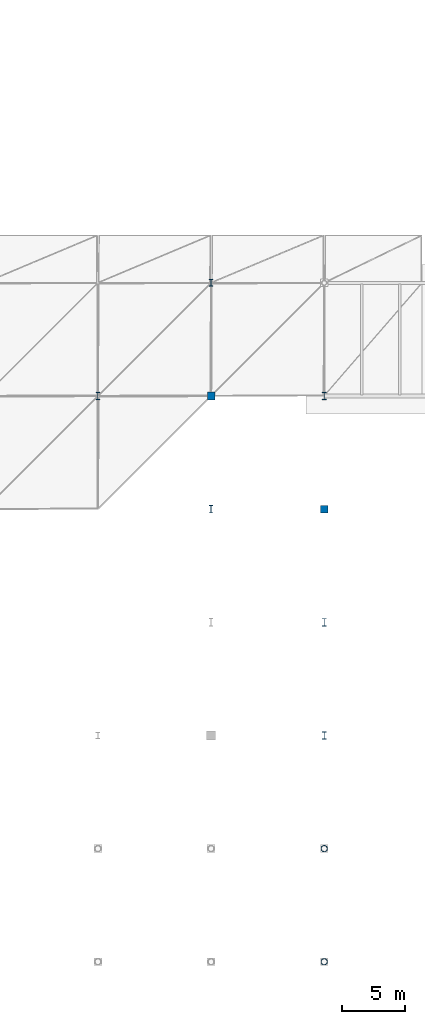
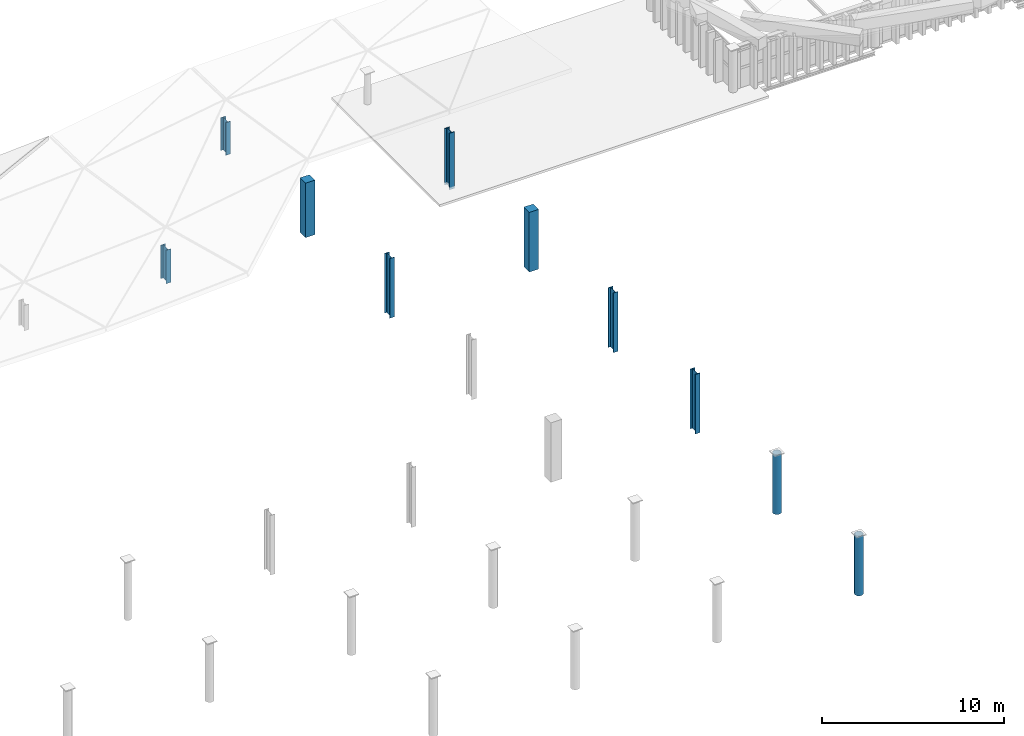
# One storey, part 4 of 102: 10 columns.
"""IFC4 building model written with IfcOpenShell, lengths in metres."""

import ifcopenshell
import ifcopenshell.guid

model = None  # the IFC model being written
_history = None  # IfcOwnerHistory: only IFC2X3 demands one
_inside = {}  # id of a spatial element -> (the spatial element, [elements in it])
_under = {}  # id of a project, library or spatial element -> (it, [spatial elements below it])
_declared = {}  # id of a project -> (the project, [libraries it declares])
_typed = {}  # id of a type object -> (the type object, [elements of that type])
_made_of = {}  # id of a material, layer set ... -> (it, [elements and type objects made of it])


def new_model(schema):
    """Start an empty IFC model of exactly this schema.

    Asked for "IFC4X3", IfcOpenShell would pick the latest addendum, in which some entities
    have other attributes; the version numbers below select the first issue.
    IFC2X3 requires an IfcOwnerHistory on every rooted entity: one is made here for all.
    """
    global model, _history
    if schema == "IFC4X3":
        model = ifcopenshell.file(schema_version=(4, 3, 0, 0))
    else:
        model = ifcopenshell.file(schema=schema)
    _inside.clear()
    _under.clear()
    _declared.clear()
    _typed.clear()
    _made_of.clear()
    _history = None
    if model.schema == "IFC2X3":
        org = make("IfcOrganization", Name="unknown")
        user = make(
            "IfcPersonAndOrganization",
            ThePerson=make("IfcPerson", FamilyName="unknown"),
            TheOrganization=org,
        )
        app = make(
            "IfcApplication",
            ApplicationDeveloper=org,
            Version="unknown",
            ApplicationFullName="unknown",
            ApplicationIdentifier="unknown",
        )
        _history = make(
            "IfcOwnerHistory",
            OwningUser=user,
            OwningApplication=app,
            ChangeAction="ADDED",
            CreationDate=0,
        )
    return model


def make(cls, **values):
    """One entity of the class cls with the attributes given. An attribute that is None is left unset."""
    return model.create_entity(
        cls, **{name: value for name, value in values.items() if value is not None}
    )


def rooted(cls, **values):
    """An entity with a GlobalId (a new one), such as an element, a storey or a relation."""
    return make(cls, GlobalId=ifcopenshell.guid.new(), OwnerHistory=_history, **values)


def si_unit(unit_type, name, prefix=None):
    """IfcSIUnit, for example si_unit("LENGTHUNIT", "METRE", prefix="MILLI")."""
    return make("IfcSIUnit", UnitType=unit_type, Prefix=prefix, Name=name)


def assignment(units):
    """IfcUnitAssignment: the units of a project."""
    return None if units is None else make("IfcUnitAssignment", Units=units)


def point(xyz):
    """IfcCartesianPoint."""
    return None if xyz is None else make("IfcCartesianPoint", Coordinates=xyz)


def direction(xyz):
    """IfcDirection."""
    return None if xyz is None else make("IfcDirection", DirectionRatios=xyz)


def frame(location, z_axis=None, x_axis=None):
    """IfcAxis2Placement3D, a coordinate frame: its origin and axes. An axis left out is left unset."""
    return make(
        "IfcAxis2Placement3D",
        Location=point(location),
        Axis=direction(z_axis),
        RefDirection=direction(x_axis),
    )


def frame_2d(location, x_axis=None):
    """IfcAxis2Placement2D, a coordinate frame in the plane: its origin and x axis."""
    return make(
        "IfcAxis2Placement2D", Location=point(location), RefDirection=direction(x_axis)
    )


def origin():
    """The frame at (0, 0, 0) with its axes left unset."""
    return frame((0.0, 0.0, 0.0))


def origin_2d():
    """The frame at (0, 0) in the plane with its x axis left unset."""
    return frame_2d((0.0, 0.0))


def place(relative_to, where):
    """IfcLocalPlacement: puts the frame where relative to a parent placement (None: the world)."""
    return make(
        "IfcLocalPlacement", PlacementRelTo=relative_to, RelativePlacement=where
    )


def context(
    kind, dimensions, precision=None, world=None, true_north=None, identifier=None
):
    """IfcGeometricRepresentationContext, for example the 3D "Model" context."""
    return make(
        "IfcGeometricRepresentationContext",
        ContextIdentifier=identifier,
        ContextType=kind,
        CoordinateSpaceDimension=dimensions,
        Precision=precision,
        WorldCoordinateSystem=world,
        TrueNorth=true_north,
    )


def subcontext(parent, identifier, kind, view, scale=None):
    """IfcGeometricRepresentationSubContext, for example "Body" below "Model"."""
    return make(
        "IfcGeometricRepresentationSubContext",
        ContextIdentifier=identifier,
        ContextType=kind,
        ParentContext=parent,
        TargetScale=scale,
        TargetView=view,
    )


def project(units=None, contexts=None):
    """IfcProject with its units and contexts."""
    return rooted(
        "IfcProject",
        Name="project",
        RepresentationContexts=contexts,
        UnitsInContext=assignment(units),
    )


def spatial(cls, under=None, at=None, **own):
    """A site, building, storey or space (cls), placed at a placement, below another one or the project."""
    s = rooted(cls, ObjectPlacement=at, **own)
    if under is not None:
        _under.setdefault(under.id(), (under, []))[1].append(s)
    return s


def profile(cls, at=None, kind="AREA", **sizes):
    """A parametric profile (cls). Its sizes go by their IFC names, for example OverallWidth=200.0."""
    return make(cls, ProfileType=kind, Position=at, **sizes)


def rectangle(**sizes):
    """IfcRectangleProfileDef."""
    return profile("IfcRectangleProfileDef", **sizes)


def hollow_circle(**sizes):
    """IfcCircleHollowProfileDef."""
    return profile("IfcCircleHollowProfileDef", **sizes)


def i_section(**sizes):
    """IfcIShapeProfileDef."""
    return profile("IfcIShapeProfileDef", **sizes)


def extrude(swept, where, along, depth):
    """IfcExtrudedAreaSolid: the profile swept, set in the frame where, extruded along a direction by depth."""
    return make(
        "IfcExtrudedAreaSolid",
        SweptArea=swept,
        Position=where,
        ExtrudedDirection=direction(along),
        Depth=depth,
    )


def shape(context_of_items, identifier, shape_type, items):
    """IfcShapeRepresentation: the items that make up one representation, for example the "Body"."""
    return make(
        "IfcShapeRepresentation",
        ContextOfItems=context_of_items,
        RepresentationIdentifier=identifier,
        RepresentationType=shape_type,
        Items=items,
    )


def material(Name=None, Category=None):
    """IfcMaterial."""
    return make("IfcMaterial", Name=Name, Category=Category)


def material_profile(
    of_material, cross_section, Name=None, Category=None, Priority=None
):
    """IfcMaterialProfile: a cross section and its material."""
    return make(
        "IfcMaterialProfile",
        Name=Name,
        Material=of_material,
        Profile=cross_section,
        Priority=Priority,
        Category=Category,
    )


def profile_set(profiles, Name=None, composite=None):
    """IfcMaterialProfileSet."""
    return make(
        "IfcMaterialProfileSet",
        Name=Name,
        MaterialProfiles=profiles,
        CompositeProfile=composite,
    )


def made_of(thing, what):
    """Note that an element or type object is made of a material, layer set ...; save() writes the relation."""
    if what is not None:
        _made_of.setdefault(what.id(), (what, []))[1].append(thing)
    return thing


def type_object(cls, material=None, **own):
    """A type object (cls), such as IfcWallType, which elements share."""
    return made_of(rooted(cls, **own), material)


def element(
    cls,
    number,
    at=None,
    inside=None,
    cuts=None,
    type_object=None,
    material=None,
    context=None,
    identifier="Body",
    shape_type=None,
    held_by="IfcProductDefinitionShape",
    body=None,
    shapes=None,
    **own,
):
    """One element of the class cls, such as IfcWall. Its Tag is "e" and its number.

    at: its placement. inside: the storey or other place that contains it. cuts: it is an
    opening in that element (IfcRelVoidsElement). A single representation is given by context,
    identifier, shape_type and body (its items); several are given by shapes. held_by: the class
    of the entity that holds the representations. save() writes the other relations.
    """
    e = rooted(cls, Tag="e%d" % number, ObjectPlacement=at, **own)
    if body is not None:
        shapes = [shape(context, identifier, shape_type, body)]
    if shapes is not None:
        e.Representation = make(held_by, Representations=shapes)
    if inside is not None:
        _inside.setdefault(inside.id(), (inside, []))[1].append(e)
    if cuts is not None:
        rooted(
            "IfcRelVoidsElement", RelatingBuildingElement=cuts, RelatedOpeningElement=e
        )
    if type_object is not None:
        _typed.setdefault(type_object.id(), (type_object, []))[1].append(e)
    return made_of(e, material)


def aggregate(whole, parts):
    """IfcRelAggregates: a whole, such as a stair, and the parts it consists of."""
    return rooted("IfcRelAggregates", RelatingObject=whole, RelatedObjects=parts)


def save(model, path):
    """Write the relations noted so far, then the file.

    IfcRelAggregates (storeys below a building ...), IfcRelContainedInSpatialStructure (elements
    in a storey), IfcRelDefinesByType, IfcRelAssociatesMaterial and IfcRelDeclares: one each for
    every whole, place, type object, material and project.
    """
    for whole, parts in _under.values():
        aggregate(whole, parts)
    for where, things in _inside.values():
        rooted(
            "IfcRelContainedInSpatialStructure",
            RelatedElements=things,
            RelatingStructure=where,
        )
    for kind, things in _typed.values():
        rooted("IfcRelDefinesByType", RelatedObjects=things, RelatingType=kind)
    for what, things in _made_of.values():
        rooted("IfcRelAssociatesMaterial", RelatedObjects=things, RelatingMaterial=what)
    for by, libraries in _declared.values():
        rooted("IfcRelDeclares", RelatingContext=by, RelatedDefinitions=libraries)
    model.write(path)


model = new_model("IFC4")

# Units and contexts
model_context = context("Model", 3, precision=1e-05, world=origin(), true_north=direction((0.0, 1.0)))
body_context = subcontext(model_context, "Body", "Model", "MODEL_VIEW")
ifc_project = project(units=[si_unit("LENGTHUNIT", "METRE"), si_unit("AREAUNIT", "SQUARE_METRE"), si_unit("VOLUMEUNIT", "CUBIC_METRE"), si_unit("PLANEANGLEUNIT", "RADIAN"), si_unit("MASSUNIT", "GRAM", prefix="KILO")], contexts=[model_context])

# Site, building, storey
site_placement = place(None, origin())
site = spatial("IfcSite", under=ifc_project, at=site_placement, CompositionType="ELEMENT")
building_placement = place(site_placement, origin())
building = spatial("IfcBuilding", under=site, at=building_placement, Name="Barlavento Convention Centre", CompositionType="ELEMENT")
storey_placement = place(building_placement, frame((0.0, 0.0, 22.800048828125)))
storey = spatial("IfcBuildingStorey", under=building, at=storey_placement, Name="L04", CompositionType="ELEMENT", Elevation=22.800048828125)

# Columns
ifc_material_1 = material(Name="Steel S460", Category="steel")
ifc_material_profile_1 = material_profile(ifc_material_1, hollow_circle(Radius=0.25390625, WallThickness=0.02001953125, at=origin_2d()), Name="CHS 508.0x20.0")
ifc_profile_set_1 = profile_set([ifc_material_profile_1], Name="Steel S460")
column_type_1 = type_object("IfcColumnType", Name="STR-COL-CHS508", PredefinedType="COLUMN", material=ifc_profile_set_1)
for number, where, z_axis, x_axis, name in (
    (1, (63.0, 0.0, 0.0), (0.0, 0.0, 1.0), (1.0, 0.0, 0.0), "L04 Congress hall column SC13"),
    (2, (63.0, 9.0, 0.0), (0.0, 0.0, 1.0), (1.0, 0.0, 0.0), "L04 Congress hall column SC13"),
):
    element("IfcColumn", number, at=place(storey_placement, frame(where, z_axis=z_axis, x_axis=x_axis)), inside=storey, type_object=column_type_1, Name=name, PredefinedType="COLUMN", context=body_context, shape_type="SweptSolid", body=[
        extrude(hollow_circle(Radius=0.25390625, WallThickness=0.02001953125, at=origin_2d()), origin(), (0.0, 0.0, 1.0), 4.0),
    ])
ifc_material_2 = material(Name="Steel S355", Category="steel")
ifc_material_profile_2 = material_profile(ifc_material_2, i_section(OverallWidth=0.300048828125, OverallDepth=0.60009765625, WebThickness=0.015380859375, FlangeThickness=0.030029296875, FilletRadius=0.027099609375, at=origin_2d()), Name="HEB 600")
ifc_profile_set_2 = profile_set([ifc_material_profile_2], Name="Steel S355")
column_type_2 = type_object("IfcColumnType", Name="STR-COL-HEB600", PredefinedType="COLUMN", material=ifc_profile_set_2)
column_1_placement = place(storey_placement, frame((45.0, 45.0, 0.0), z_axis=(0.0, 0.0, 1.0), x_axis=(1.0, 0.0, 0.0)))
element("IfcColumn", 3, at=column_1_placement, inside=storey, type_object=column_type_2, Name="L04 Congress hall column SC08", PredefinedType="COLUMN", context=body_context, shape_type="SweptSolid", body=[
    extrude(i_section(OverallWidth=0.300048828125, OverallDepth=0.60009765625, WebThickness=0.015380859375, FlangeThickness=0.030029296875, FilletRadius=0.027099609375, at=origin_2d()), origin(), (0.0, 0.0, 1.0), 2.24365234375),
])
for number, where, z_axis, x_axis, name in (
    (4, (54.0, 36.0, 0.0), (0.0, 0.0, 1.0), (1.0, 0.0, 0.0), "L04 Congress hall column SC08"),
    (5, (63.0, 27.0, 0.0), (0.0, 0.0, 1.0), (1.0, 0.0, 0.0), "L04 Congress hall column SC08"),
):
    element("IfcColumn", number, at=place(storey_placement, frame(where, z_axis=z_axis, x_axis=x_axis)), inside=storey, type_object=column_type_2, Name=name, PredefinedType="COLUMN", context=body_context, shape_type="SweptSolid", body=[
        extrude(i_section(OverallWidth=0.300048828125, OverallDepth=0.60009765625, WebThickness=0.015380859375, FlangeThickness=0.030029296875, FilletRadius=0.027099609375, at=origin_2d()), origin(), (0.0, 0.0, 1.0), 4.0),
    ])
ifc_material_profile_3 = material_profile(ifc_material_2, i_section(OverallWidth=0.305908203125, OverallDepth=0.572021484375, WebThickness=0.02099609375, FlangeThickness=0.0400390625, FilletRadius=0.027099609375, at=origin_2d()), Name="HEM 550")
ifc_profile_set_3 = profile_set([ifc_material_profile_3], Name="Steel S355")
column_type_3 = type_object("IfcColumnType", Name="STR-COL-HEM550", PredefinedType="COLUMN", material=ifc_profile_set_3)
column_2_placement = place(storey_placement, frame((54.0, 54.0, 0.0), z_axis=(0.0, 0.0, 1.0), x_axis=(1.0, 0.0, 0.0)))
element("IfcColumn", 6, at=column_2_placement, inside=storey, type_object=column_type_3, Name="L04 Congress hall column SC06", PredefinedType="COLUMN", context=body_context, shape_type="SweptSolid", body=[
    extrude(i_section(OverallWidth=0.305908203125, OverallDepth=0.572021484375, WebThickness=0.02099609375, FlangeThickness=0.0400390625, FilletRadius=0.027099609375, at=origin_2d()), origin(), (0.0, 0.0, 1.0), 2.1953125),
])
column_3_placement = place(storey_placement, frame((63.0, 45.0, 0.0), z_axis=(0.0, 0.0, 1.0), x_axis=(1.0, 0.0, 0.0)))
element("IfcColumn", 7, at=column_3_placement, inside=storey, type_object=column_type_3, Name="L04 Congress hall column SC06", PredefinedType="COLUMN", context=body_context, shape_type="SweptSolid", body=[
    extrude(i_section(OverallWidth=0.305908203125, OverallDepth=0.572021484375, WebThickness=0.02099609375, FlangeThickness=0.0400390625, FilletRadius=0.027099609375, at=origin_2d()), origin(), (0.0, 0.0, 1.0), 3.786865234375),
])
ifc_material_profile_4 = material_profile(ifc_material_2, i_section(OverallWidth=0.304931640625, OverallDepth=0.6201171875, WebThickness=0.02099609375, FlangeThickness=0.0400390625, FilletRadius=0.027099609375, at=origin_2d()), Name="HEM 600")
ifc_profile_set_4 = profile_set([ifc_material_profile_4], Name="Steel S355")
column_type_4 = type_object("IfcColumnType", Name="STR-COL-HEM600", PredefinedType="COLUMN", material=ifc_profile_set_4)
column_4_placement = place(storey_placement, frame((63.0, 18.0, 0.0), z_axis=(0.0, 0.0, 1.0), x_axis=(1.0, 0.0, 0.0)))
element("IfcColumn", 8, at=column_4_placement, inside=storey, type_object=column_type_4, Name="L04 Congress hall column SC05", PredefinedType="COLUMN", context=body_context, shape_type="SweptSolid", body=[
    extrude(i_section(OverallWidth=0.304931640625, OverallDepth=0.6201171875, WebThickness=0.02099609375, FlangeThickness=0.0400390625, FilletRadius=0.027099609375, at=origin_2d()), origin(), (0.0, 0.0, 1.0), 4.0),
])
ifc_material_3 = material(Name="Concrete C40/50", Category="concrete")
ifc_material_profile_5 = material_profile(ifc_material_3, rectangle(XDim=0.60009765625, YDim=0.60009765625, at=origin_2d()), Name="RC 600x600")
ifc_profile_set_5 = profile_set([ifc_material_profile_5], Name="Concrete C40/50")
column_type_5 = type_object("IfcColumnType", Name="STR-COL-RC600", PredefinedType="COLUMN", material=ifc_profile_set_5)
column_5_placement = place(storey_placement, frame((54.0, 45.0, 0.0), z_axis=(0.0, 0.0, 1.0), x_axis=(1.0, 0.0, 0.0)))
element("IfcColumn", 9, at=column_5_placement, inside=storey, type_object=column_type_5, Name="L04 Congress hall column CC07", PredefinedType="COLUMN", context=body_context, shape_type="SweptSolid", body=[
    extrude(rectangle(XDim=0.60009765625, YDim=0.60009765625, at=origin_2d()), origin(), (0.0, 0.0, 1.0), 3.65625),
])
column_6_placement = place(storey_placement, frame((63.0, 36.0, 0.0), z_axis=(0.0, 0.0, 1.0), x_axis=(1.0, 0.0, 0.0)))
element("IfcColumn", 10, at=column_6_placement, inside=storey, type_object=column_type_5, Name="L04 Congress hall column CC07", PredefinedType="COLUMN", context=body_context, shape_type="SweptSolid", body=[
    extrude(rectangle(XDim=0.60009765625, YDim=0.60009765625, at=origin_2d()), origin(), (0.0, 0.0, 1.0), 4.0),
])

save(model, "model.ifc")
